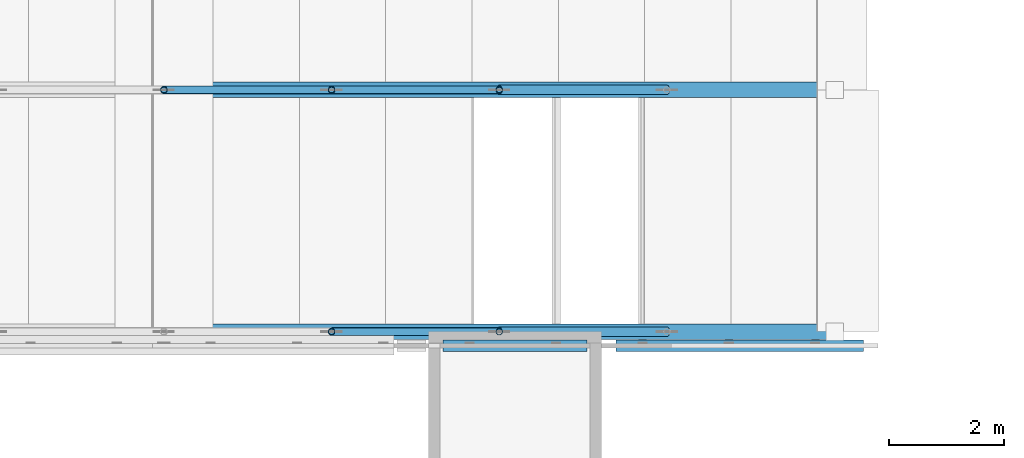
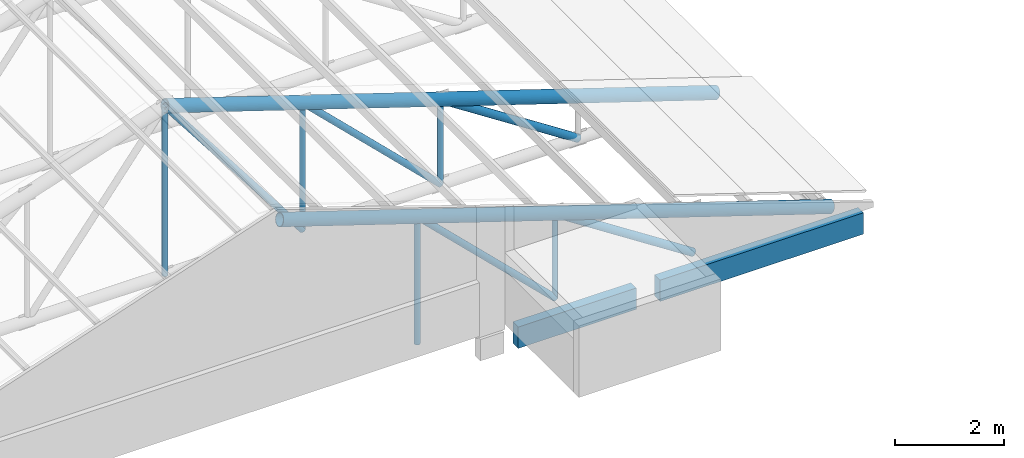
# One storey, part 10 of 95: 12 members, 2 beams.
"""IFC4 building model written with IfcOpenShell, lengths in metres."""

from ifc_helpers import new_model, si_unit, direction, frame, origin, origin_2d, place, context, subcontext, project, spatial, rectangle, hollow_circle, extrude, material, material_profile, profile_set, type_object, element, save


model = new_model("IFC4")

# Units and contexts
model_context = context("Model", 3, precision=1e-05, world=origin(), true_north=direction((0.0, 1.0)))
body_context = subcontext(model_context, "Body", "Model", "MODEL_VIEW")
ifc_project = project(units=[si_unit("LENGTHUNIT", "METRE"), si_unit("AREAUNIT", "SQUARE_METRE"), si_unit("VOLUMEUNIT", "CUBIC_METRE"), si_unit("PLANEANGLEUNIT", "RADIAN"), si_unit("MASSUNIT", "GRAM", prefix="KILO")], contexts=[model_context])

# Site, building, storey
site_placement = place(None, origin())
site = spatial("IfcSite", under=ifc_project, at=site_placement, CompositionType="ELEMENT")
building_placement = place(site_placement, origin())
building = spatial("IfcBuilding", under=site, at=building_placement, Name="Kiln Court Media Centre", CompositionType="ELEMENT")
storey_placement = place(building_placement, frame((0.0, 0.0, 24.60009765625)))
storey = spatial("IfcBuildingStorey", under=building, at=storey_placement, Name="L05", CompositionType="ELEMENT", Elevation=24.60009765625)

# Beams
ifc_material_1 = material(Name="Concrete C30/37", Category="concrete")
ifc_material_profile_1 = material_profile(ifc_material_1, rectangle(XDim=0.199951171875, YDim=0.477783203125, at=origin_2d()), Name="RC 200x478")
ifc_profile_set_1 = profile_set([ifc_material_profile_1], Name="Concrete C30/37")
beam_type = type_object("IfcBeamType", Name="Concrete C30/37 gable sill beam 200x478", PredefinedType="BEAM", material=ifc_profile_set_1)
beam_1_placement = place(storey_placement, frame((51.25, 24.95556640625, -0.361083984375), z_axis=(1.0, 0.0, 0.0), x_axis=(0.0, 1.0, 0.0)))
element("IfcBeam", 1, at=beam_1_placement, inside=storey, type_object=beam_type, Name="Foyer south gable glazing sill beam", PredefinedType="BEAM", context=body_context, shape_type="SweptSolid", body=[
    extrude(rectangle(XDim=0.199951171875, YDim=0.477783203125, at=origin_2d()), origin(), (0.0, 0.0, 1.0), 2.5),
])
beam_2_placement = place(storey_placement, frame((54.25, 24.95556640625, -0.361083984375), z_axis=(1.0, 0.0, 0.0), x_axis=(0.0, 1.0, 0.0)))
element("IfcBeam", 2, at=beam_2_placement, inside=storey, type_object=beam_type, Name="Foyer south gable glazing sill beam", PredefinedType="BEAM", context=body_context, shape_type="SweptSolid", body=[
    extrude(rectangle(XDim=0.199951171875, YDim=0.477783203125, at=origin_2d()), origin(), (0.0, 0.0, 1.0), 4.300048828125),
])

# Members
ifc_material_2 = material(Name="Steel ASTM A500 Gr C", Category="steel")
ifc_material_profile_2 = material_profile(ifc_material_2, hollow_circle(Radius=0.05712890625, WallThickness=0.0048828125, at=origin_2d()), Name="CHS 114.3x5.0")
ifc_profile_set_2 = profile_set([ifc_material_profile_2], Name="Steel ASTM A500 Gr C")
member_type_1 = type_object("IfcMemberType", Name="Steel ASTM A500 Gr C CHS 114.3x5.0 truss web", PredefinedType="BRACE", material=ifc_profile_set_2)
member_1_placement = place(storey_placement, frame((49.3125, 25.199951171875, -0.013916015625), z_axis=(0.0, 0.0, 1.0), x_axis=(1.0, 0.0, 0.0)))
element("IfcMember", 3, at=member_1_placement, inside=storey, type_object=member_type_1, Name="foyer truss FT-01 post 5 truss web", PredefinedType="BRACE", context=body_context, shape_type="SweptSolid", body=[
    extrude(hollow_circle(Radius=0.05712890625, WallThickness=0.0048828125, at=origin_2d()), origin(), (0.0, 0.0, 1.0), 2.839111328125),
])
member_2_placement = place(storey_placement, frame((52.22509765625, 25.199951171875, -0.013916015625), z_axis=(0.0, 0.0, 1.0), x_axis=(1.0, 0.0, 0.0)))
element("IfcMember", 4, at=member_2_placement, inside=storey, type_object=member_type_1, Name="foyer truss FT-01 post 6 truss web", PredefinedType="BRACE", context=body_context, shape_type="SweptSolid", body=[
    extrude(hollow_circle(Radius=0.05712890625, WallThickness=0.0048828125, at=origin_2d()), origin(), (0.0, 0.0, 1.0), 1.892822265625),
])
member_3_placement = place(storey_placement, frame((46.39990234375, 29.39990234375, -0.013916015625), z_axis=(0.0, 0.0, 1.0), x_axis=(1.0, 0.0, 0.0)))
element("IfcMember", 5, at=member_3_placement, inside=storey, type_object=member_type_1, Name="foyer truss FT-02 post 4 truss web", PredefinedType="BRACE", context=body_context, shape_type="SweptSolid", body=[
    extrude(hollow_circle(Radius=0.05712890625, WallThickness=0.0048828125, at=origin_2d()), origin(), (0.0, 0.0, 1.0), 3.785400390625),
])
member_4_placement = place(storey_placement, frame((49.3125, 29.39990234375, -0.013916015625), z_axis=(0.0, 0.0, 1.0), x_axis=(1.0, 0.0, 0.0)))
element("IfcMember", 6, at=member_4_placement, inside=storey, type_object=member_type_1, Name="foyer truss FT-02 post 5 truss web", PredefinedType="BRACE", context=body_context, shape_type="SweptSolid", body=[
    extrude(hollow_circle(Radius=0.05712890625, WallThickness=0.0048828125, at=origin_2d()), origin(), (0.0, 0.0, 1.0), 2.839111328125),
])
member_5_placement = place(storey_placement, frame((52.22509765625, 29.39990234375, -0.013916015625), z_axis=(0.0, 0.0, 1.0), x_axis=(1.0, 0.0, 0.0)))
element("IfcMember", 7, at=member_5_placement, inside=storey, type_object=member_type_1, Name="foyer truss FT-02 post 6 truss web", PredefinedType="BRACE", context=body_context, shape_type="SweptSolid", body=[
    extrude(hollow_circle(Radius=0.05712890625, WallThickness=0.0048828125, at=origin_2d()), origin(), (0.0, 0.0, 1.0), 1.892822265625),
])
ifc_material_3 = material(Name="Steel ASTM A500 Gr C", Category="steel")
ifc_material_profile_3 = material_profile(ifc_material_3, hollow_circle(Radius=0.06982421875, WallThickness=0.0048828125, at=origin_2d()), Name="CHS 139.7x5.0")
ifc_profile_set_3 = profile_set([ifc_material_profile_3], Name="Steel ASTM A500 Gr C")
member_type_2 = type_object("IfcMemberType", Name="Steel ASTM A500 Gr C CHS 139.7x5.0 truss web", PredefinedType="BRACE", material=ifc_profile_set_3)
member_6_placement = place(storey_placement, frame((49.3125, 25.199951171875, 2.8251953125), z_axis=(0.716082640751, 0.0, -0.69801550958), x_axis=(0.0, 1.0, 0.0)))
element("IfcMember", 8, at=member_6_placement, inside=storey, type_object=member_type_2, Name="foyer truss FT-01 diagonal 6 truss web", PredefinedType="BRACE", context=body_context, shape_type="SweptSolid", body=[
    extrude(hollow_circle(Radius=0.06982421875, WallThickness=0.0048828125, at=origin_2d()), origin(), (0.0, 0.0, 1.0), 4.0673828125),
])
member_7_placement = place(storey_placement, frame((46.39990234375, 29.39990234375, 3.771484375), z_axis=(0.609809567012, 0.0, -0.792547974561), x_axis=(0.0, 1.0, 0.0)))
element("IfcMember", 9, at=member_7_placement, inside=storey, type_object=member_type_2, Name="foyer truss FT-02 diagonal 5 truss web", PredefinedType="BRACE", context=body_context, shape_type="SweptSolid", body=[
    extrude(hollow_circle(Radius=0.06982421875, WallThickness=0.0048828125, at=origin_2d()), origin(), (0.0, 0.0, 1.0), 4.776123046875),
])
member_8_placement = place(storey_placement, frame((49.3125, 29.39990234375, 2.8251953125), z_axis=(0.716082640751, 0.0, -0.69801550958), x_axis=(0.0, 1.0, 0.0)))
element("IfcMember", 10, at=member_8_placement, inside=storey, type_object=member_type_2, Name="foyer truss FT-02 diagonal 6 truss web", PredefinedType="BRACE", context=body_context, shape_type="SweptSolid", body=[
    extrude(hollow_circle(Radius=0.06982421875, WallThickness=0.0048828125, at=origin_2d()), origin(), (0.0, 0.0, 1.0), 4.0673828125),
])
ifc_material_4 = material(Name="Steel ASTM A500 Gr C", Category="steel")
ifc_material_profile_4 = material_profile(ifc_material_4, hollow_circle(Radius=0.084228515625, WallThickness=0.00634765625, at=origin_2d()), Name="CHS 168.3x6.3")
ifc_profile_set_4 = profile_set([ifc_material_profile_4], Name="Steel ASTM A500 Gr C")
member_type_3 = type_object("IfcMemberType", Name="Steel ASTM A500 Gr C CHS 168.3x6.3 truss web", PredefinedType="BRACE", material=ifc_profile_set_4)
for number, where, z_axis, x_axis, name in (
    (11, (52.22509765625, 25.199951171875, 1.87890625), (0.838470915332, 0.0, -0.544946349784), (0.0, 1.0, 0.0), "foyer truss FT-01 diagonal 7 truss web"),
    (12, (52.22509765625, 29.39990234375, 1.87890625), (0.838470915332, 0.0, -0.544946349784), (0.0, 1.0, 0.0), "foyer truss FT-02 diagonal 7 truss web"),
):
    element("IfcMember", number, at=place(storey_placement, frame(where, z_axis=z_axis, x_axis=x_axis)), inside=storey, type_object=member_type_3, Name=name, PredefinedType="BRACE", context=body_context, shape_type="SweptSolid", body=[
        extrude(hollow_circle(Radius=0.084228515625, WallThickness=0.00634765625, at=origin_2d()), origin(), (0.0, 0.0, 1.0), 3.473388671875),
    ])
ifc_material_5 = material(Name="Steel ASTM A500 Gr C", Category="steel")
ifc_material_profile_5 = material_profile(ifc_material_5, hollow_circle(Radius=0.136474609375, WallThickness=0.010009765625, at=origin_2d()), Name="CHS 273.0x10.0")
ifc_profile_set_5 = profile_set([ifc_material_profile_5], Name="Steel ASTM A500 Gr C")
member_type_4 = type_object("IfcMemberType", Name="Steel ASTM A500 Gr C CHS 273.0x10.0 truss chord", PredefinedType="CHORD", material=ifc_profile_set_5)
for number, where, z_axis, x_axis, name in (
    (13, (46.39990234375, 25.199951171875, 3.771484375), (0.951055596592, 0.0, -0.309019824916), (0.0, 1.0, 0.0), "foyer truss FT-01 east rafter truss chord"),
    (14, (46.39990234375, 29.39990234375, 3.771484375), (0.951055596592, 0.0, -0.309019824916), (0.0, 1.0, 0.0), "foyer truss FT-02 east rafter truss chord"),
):
    element("IfcMember", number, at=place(storey_placement, frame(where, z_axis=z_axis, x_axis=x_axis)), inside=storey, type_object=member_type_4, Name=name, PredefinedType="CHORD", context=body_context, shape_type="SweptSolid", body=[
        extrude(hollow_circle(Radius=0.136474609375, WallThickness=0.010009765625, at=origin_2d()), origin(), (0.0, 0.0, 1.0), 12.249755859375),
    ])

save(model, "model.ifc")
